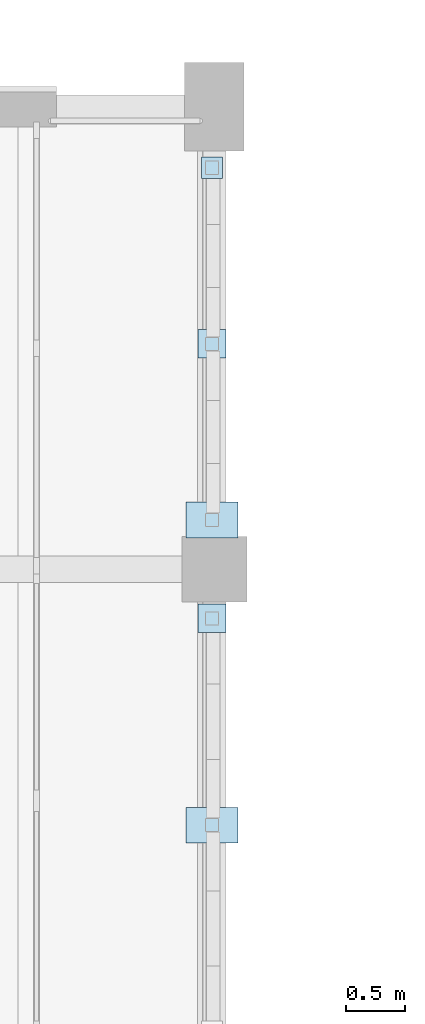
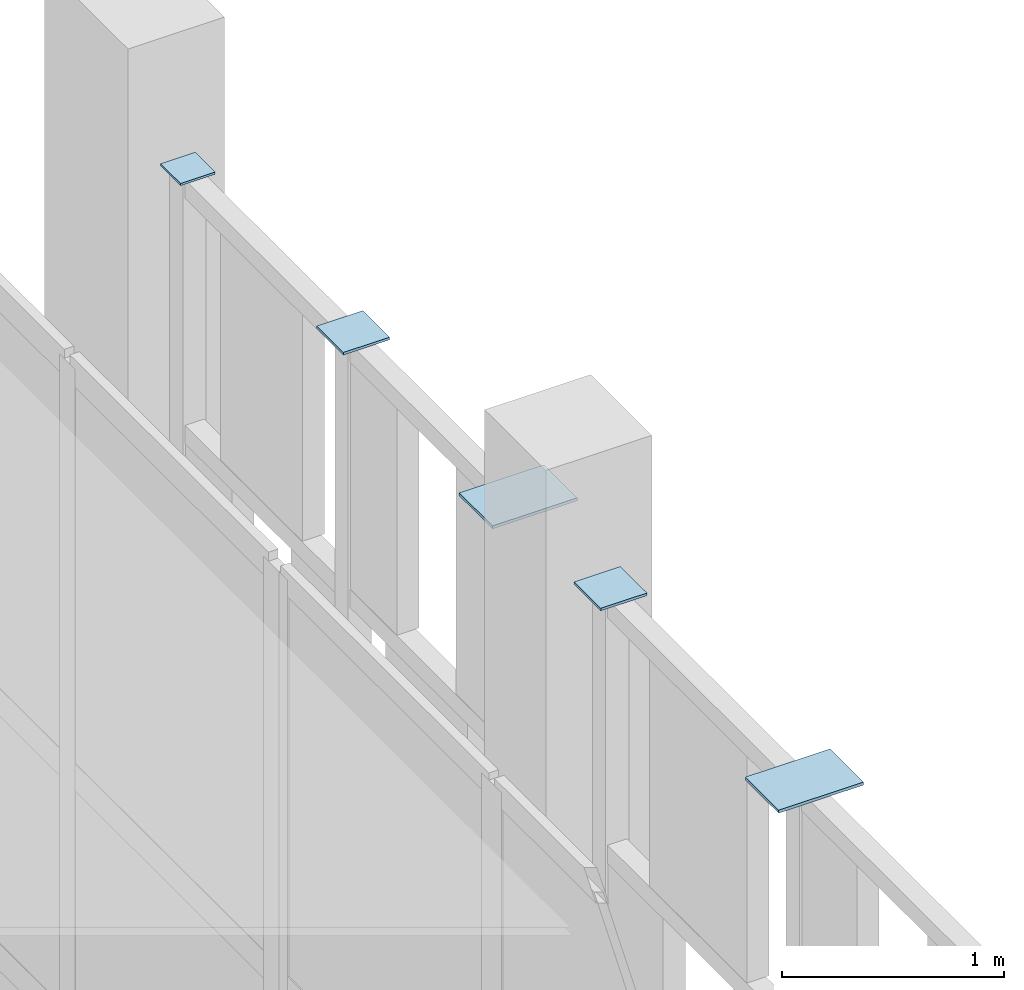
# One storey, part 93 of 138: 5 plates.
"""IFC4 building model written with IfcOpenShell, lengths in metres."""

from ifc_helpers import new_model, si_unit, direction, frame, origin, origin_2d, place, context, subcontext, project, spatial, rectangle, extrude, material, layer, layer_set, type_object, element, save


model = new_model("IFC4")

# Units and contexts
model_context = context("Model", 3, precision=1e-05, world=origin(), true_north=direction((0.0, 1.0)))
body_context = subcontext(model_context, "Body", "Model", "MODEL_VIEW")
ifc_project = project(units=[si_unit("LENGTHUNIT", "METRE"), si_unit("AREAUNIT", "SQUARE_METRE"), si_unit("VOLUMEUNIT", "CUBIC_METRE"), si_unit("PLANEANGLEUNIT", "RADIAN"), si_unit("MASSUNIT", "GRAM", prefix="KILO")], contexts=[model_context])

# Site, building, storey
site_placement = place(None, origin())
site = spatial("IfcSite", under=ifc_project, at=site_placement, CompositionType="ELEMENT")
building_placement = place(site_placement, origin())
building = spatial("IfcBuilding", under=site, at=building_placement, Name="Celorna Specialist Clinic", CompositionType="ELEMENT")
storey_placement = place(building_placement, frame((0.0, 0.0, 4.800048828125)))
storey = spatial("IfcBuildingStorey", under=building, at=storey_placement, Name="L01", CompositionType="ELEMENT", Elevation=4.800048828125)

# Plates
ifc_material = material(Name="Steel S355", Category="steel")
ifc_layer_1 = layer(ifc_material, 0.011962890625, Name="Steel S355")
ifc_layer_set_1 = layer_set([ifc_layer_1], Name="Steel S355")
plate_type_1 = type_object("IfcPlateType", Name="EP-06", PredefinedType="SHEET", material=ifc_layer_set_1)
plate_placement = place(storey_placement, frame((46.780029296875, 61.885009765625, 4.14013671875), z_axis=(0.0, 0.0, 1.0), x_axis=(0.0, 1.0, 0.0)))
element("IfcPlate", 1, at=plate_placement, inside=storey, type_object=plate_type_1, Name="Screen post cap plate EP-06 #1530", PredefinedType="SHEET", context=body_context, shape_type="SweptSolid", body=[
    extrude(rectangle(XDim=0.179931640625, YDim=0.179931640625, at=origin_2d()), origin(), (0.0, 0.0, 1.0), 0.011962890625),
])
ifc_layer_2 = layer(ifc_material, 0.01611328125, Name="Steel S355")
ifc_layer_set_2 = layer_set([ifc_layer_2], Name="Steel S355")
plate_type_2 = type_object("IfcPlateType", Name="EP-07", PredefinedType="SHEET", material=ifc_layer_set_2)
for number, where, z_axis, x_axis, name in (
    (2, (46.780029296875, 56.342529296875, 4.139892578125), (0.0, 0.0, 1.0), (0.0, 1.0, 0.0), "Screen post cap plate EP-07 #1510"),
    (3, (46.780029296875, 58.9150390625, 4.139892578125), (0.0, 0.0, 1.0), (0.0, 1.0, 0.0), "Screen post cap plate EP-07 #1528"),
):
    element("IfcPlate", number, at=place(storey_placement, frame(where, z_axis=z_axis, x_axis=x_axis)), inside=storey, type_object=plate_type_2, Name=name, PredefinedType="SHEET", context=body_context, shape_type="SweptSolid", body=[
        extrude(rectangle(XDim=0.300048828125, YDim=0.43994140625, at=origin_2d()), origin(), (0.0, 0.0, 1.0), 0.01611328125),
    ])
ifc_layer_3 = layer(ifc_material, 0.013916015625, Name="Steel S355")
ifc_layer_set_3 = layer_set([ifc_layer_3], Name="Steel S355")
plate_type_3 = type_object("IfcPlateType", Name="EP-08", PredefinedType="SHEET", material=ifc_layer_set_3)
for number, where, z_axis, x_axis, name in (
    (4, (46.780029296875, 58.0849609375, 4.14013671875), (0.0, 0.0, 1.0), (0.0, 1.0, 0.0), "Screen post cap plate EP-08 #1511"),
    (5, (46.780029296875, 60.39990234375, 4.14013671875), (0.0, 0.0, 1.0), (0.0, 1.0, 0.0), "Screen post cap plate EP-08 #1529"),
):
    element("IfcPlate", number, at=place(storey_placement, frame(where, z_axis=z_axis, x_axis=x_axis)), inside=storey, type_object=plate_type_3, Name=name, PredefinedType="SHEET", context=body_context, shape_type="SweptSolid", body=[
        extrude(rectangle(XDim=0.239990234375, YDim=0.239990234375, at=origin_2d()), origin(), (0.0, 0.0, 1.0), 0.013916015625),
    ])

save(model, "model.ifc")
